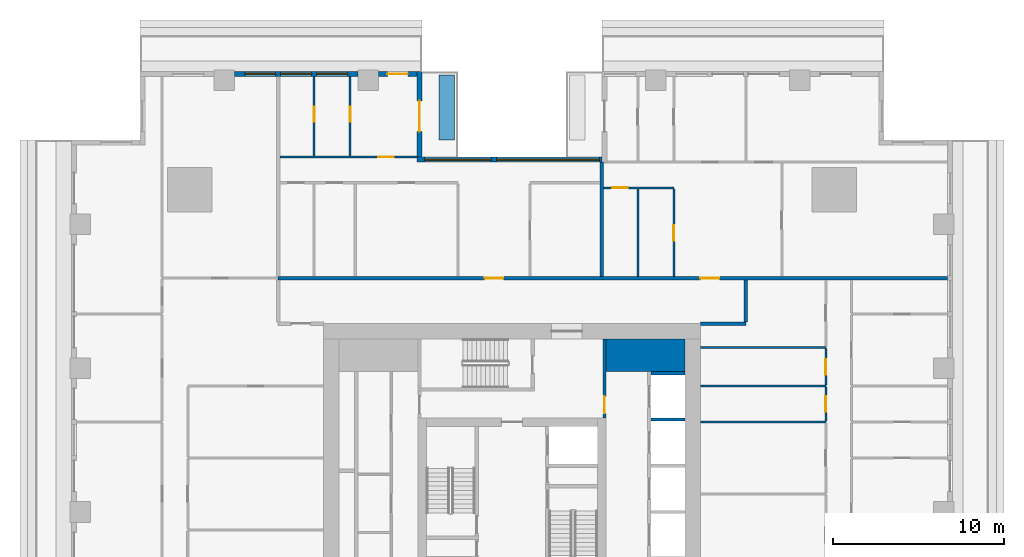
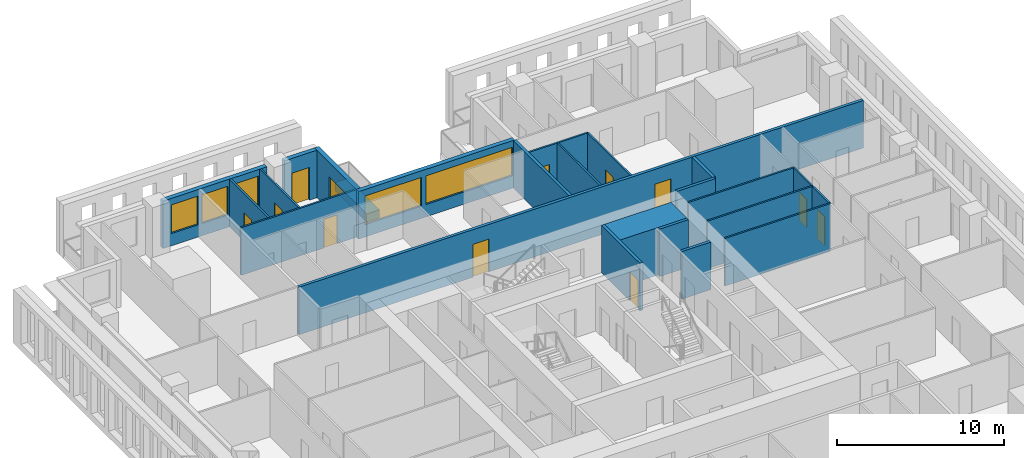
# One storey, part 8 of 16: 24 walls, 12 doors, 5 windows, 17 openings.
"""IFC4 building model written with IfcOpenShell, lengths in metres."""

from ifc_helpers import new_model, si_unit, direction, frame, frame_2d, origin, place, context, subcontext, project, spatial, rectangle, extrude, material, layer, layer_set, type_object, element, fill, save


model = new_model("IFC4")

# Units and contexts
model_context = context("Model", 3, precision=1e-05, world=origin(), true_north=direction((0.0, 1.0)))
body_context = subcontext(model_context, "Body", "Model", "MODEL_VIEW")
ifc_project = project(units=[si_unit("LENGTHUNIT", "METRE"), si_unit("AREAUNIT", "SQUARE_METRE"), si_unit("VOLUMEUNIT", "CUBIC_METRE"), si_unit("PLANEANGLEUNIT", "RADIAN"), si_unit("MASSUNIT", "GRAM", prefix="KILO")], contexts=[model_context])

# Site, building, storey
site_placement = place(None, origin())
site = spatial("IfcSite", under=ifc_project, at=site_placement, CompositionType="ELEMENT")
building_placement = place(site_placement, origin())
building = spatial("IfcBuilding", under=site, at=building_placement, Name="Khepri Terraces", CompositionType="ELEMENT")
storey_placement = place(building_placement, frame((0.0, 0.0, 141.60009765625)))
storey = spatial("IfcBuildingStorey", under=building, at=storey_placement, Name="L33", CompositionType="ELEMENT", Elevation=141.60009765625)

# Walls
ifc_material_1 = material(Name="Concrete C60/75", Category="concrete")
ifc_layer_1 = layer(ifc_material_1, 1.89990234375, Name="Concrete C60/75", Category="concrete")
ifc_layer_set_1 = layer_set([ifc_layer_1], Name="Concrete C60/75")
wall_type_1 = type_object("IfcWallType", Name="Core wall 1900 C60/75", PredefinedType="SHEAR", material=ifc_layer_set_1)
wall_1_placement = place(storey_placement, frame((5.5, 9.14990234375, 0.0), z_axis=(0.0, 0.0, 1.0), x_axis=(1.0, 0.0, 0.0)))
element("IfcWall", 1, at=wall_1_placement, inside=storey, type_object=wall_type_1, Name="Core wall PR04 L33", PredefinedType="SHEAR", context=body_context, shape_type="SweptSolid", body=[
    extrude(rectangle(XDim=4.60009765625, YDim=1.89990234375, at=frame_2d((2.300048828125, 0.0))), origin(), (0.0, 0.0, 1.0), 3.47998046875),
])
ifc_layer_2 = layer(ifc_material_1, 0.199951171875, Name="Concrete C60/75", Category="concrete")
ifc_layer_set_2 = layer_set([ifc_layer_2], Name="Concrete C60/75")
wall_type_2 = type_object("IfcWallType", Name="Core wall 200 C60/75", PredefinedType="SHEAR", material=ifc_layer_set_2)
for number, where, z_axis, x_axis, name in (
    (2, (8.10009765625, 5.39990234375, 0.0), (0.0, 0.0, 1.0), (1.0, 0.0, 0.0), "Core wall SH14 L33"),
    (3, (8.10009765625, 8.10009765625, 0.0), (0.0, 0.0, 1.0), (1.0, 0.0, 0.0), "Core wall SH15 L33"),
):
    element("IfcWall", number, at=place(storey_placement, frame(where, z_axis=z_axis, x_axis=x_axis)), inside=storey, type_object=wall_type_2, Name=name, PredefinedType="SHEAR", context=body_context, shape_type="SweptSolid", body=[
        extrude(rectangle(XDim=2.0, YDim=0.199951171875, at=frame_2d((1.0, 0.0))), origin(), (0.0, 0.0, 1.0), 3.47998046875),
    ])

# Wall, opening, door
ifc_material_2 = material(Name="Fire-rated gypsum board partition")
ifc_layer_3 = layer(ifc_material_2, 0.199951171875, Name="Fire-rated gypsum board partition")
ifc_layer_set_3 = layer_set([ifc_layer_3], Name="Fire-rated gypsum board partition")
wall_type_3 = type_object("IfcWallType", Name="WL-CORE-PART-200", PredefinedType="PARTITIONING", material=ifc_layer_set_3)
wall_2_placement = place(storey_placement, frame((5.39990234375, 5.5, 0.0), z_axis=(0.0, 0.0, 1.0), x_axis=(0.0, 1.0, 0.0)))
wall_2 = element("IfcWall", 4, at=wall_2_placement, inside=storey, type_object=wall_type_3, Name="Core partition PT10 L33", PredefinedType="PARTITIONING", context=body_context, shape_type="SweptSolid", body=[
    extrude(rectangle(XDim=4.60009765625, YDim=0.199951171875, at=frame_2d((2.300048828125, 0.0))), origin(), (0.0, 0.0, 1.0), 3.47998046875),
])
opening_1_placement = place(wall_2_placement, frame((0.25, 0.0, 0.0)))
opening_1 = element("IfcOpeningElement", 5, at=opening_1_placement, cuts=wall_2, Name="Opening L33-C17", PredefinedType="OPENING", context=body_context, shape_type="SweptSolid", body=[
    extrude(rectangle(XDim=1.0, YDim=2.10009765625, at=frame_2d((0.5, 1.050048828125))), frame((0.0, 0.10986328125, 0.0), z_axis=(0.0, -1.0, 0.0), x_axis=(1.0, 0.0, 0.0)), (0.0, 0.0, 1.0), 0.219970703125),
])
ifc_material_3 = material(Name="Painted steel", Category="steel")
door_type_1 = type_object("IfcDoorType", Name="DR-CORE-LOBBY-1000", OperationType="NOTDEFINED", PredefinedType="DOOR", material=ifc_material_3)
door_1_placement = place(opening_1_placement, origin())
door_1 = element("IfcDoor", 6, at=door_1_placement, inside=storey, type_object=door_type_1, Name="Lobby door L33-C17", OperationType="SINGLE_SWING_LEFT", OverallHeight=2.10009765625, OverallWidth=1.0, PredefinedType="DOOR", context=body_context, shape_type="SweptSolid", body=[
    extrude(rectangle(XDim=1.0, YDim=2.10009765625, at=frame_2d((0.5, 1.050048828125))), frame((0.0, 0.02490234375, 0.0), z_axis=(0.0, -1.0, 0.0), x_axis=(1.0, 0.0, 0.0)), (0.0, 0.0, 1.0), 0.050048828125),
])
fill(opening_1, door_1)

# Walls
ifc_material_4 = material(Name="Fire-rated gypsum plasterboard partition, mineral wool")
ifc_layer_4 = layer(ifc_material_4, 0.199951171875, Name="Fire-rated gypsum plasterboard partition, mineral wool")
ifc_layer_set_4 = layer_set([ifc_layer_4], Name="Fire-rated gypsum plasterboard partition, mineral wool")
wall_type_4 = type_object("IfcWallType", Name="WL-CORR-200", PredefinedType="PARTITIONING", material=ifc_layer_set_4)
wall_3_placement = place(storey_placement, frame((11.0, 11.0, 0.0), z_axis=(0.0, 0.0, 1.0), x_axis=(1.0, 0.0, 0.0)))
element("IfcWall", 7, at=wall_3_placement, inside=storey, type_object=wall_type_4, Name="Partition P-079 L33", PredefinedType="PARTITIONING", context=body_context, shape_type="SweptSolid", body=[
    extrude(rectangle(XDim=2.64990234375, YDim=0.199951171875, at=frame_2d((1.324951171875, 0.0))), origin(), (0.0, 0.0, 1.0), 3.47998046875),
])
wall_4_placement = place(storey_placement, frame((13.64990234375, 11.10009765625, 0.0), z_axis=(0.0, 0.0, 1.0), x_axis=(0.0, 1.0, 0.0)))
element("IfcWall", 8, at=wall_4_placement, inside=storey, type_object=wall_type_4, Name="Partition P-081 L33", PredefinedType="PARTITIONING", context=body_context, shape_type="SweptSolid", body=[
    extrude(rectangle(XDim=2.449951171875, YDim=0.199951171875, at=frame_2d((1.22509765625, 0.0))), origin(), (0.0, 0.0, 1.0), 3.47998046875),
])

# Wall, openings, doors
wall_5_placement = place(storey_placement, frame((-13.64990234375, 13.64990234375, 0.0), z_axis=(0.0, 0.0, 1.0), x_axis=(1.0, 0.0, 0.0)))
wall_5 = element("IfcWall", 9, at=wall_5_placement, inside=storey, type_object=wall_type_4, Name="Partition P-087 L33", PredefinedType="PARTITIONING", context=body_context, shape_type="SweptSolid", body=[
    extrude(rectangle(XDim=39.06982421875, YDim=0.199951171875, at=frame_2d((19.534912109375, 0.0))), origin(), (0.0, 0.0, 1.0), 3.47998046875),
])
opening_2_placement = place(wall_5_placement, frame((24.64990234375, 0.0, 0.0)))
opening_2 = element("IfcOpeningElement", 10, at=opening_2_placement, cuts=wall_5, Name="Opening D1", PredefinedType="OPENING", context=body_context, shape_type="SweptSolid", body=[
    extrude(rectangle(XDim=1.10009765625, YDim=2.39990234375, at=frame_2d((0.550048828125, 1.199951171875))), frame((0.0, 0.10986328125, 0.0), z_axis=(0.0, -1.0, 0.0), x_axis=(1.0, 0.0, 0.0)), (0.0, 0.0, 1.0), 0.219970703125),
])
opening_3_placement = place(wall_5_placement, frame((12.050048828125, 0.0, 0.0)))
opening_3 = element("IfcOpeningElement", 11, at=opening_3_placement, cuts=wall_5, Name="Opening D1", PredefinedType="OPENING", context=body_context, shape_type="SweptSolid", body=[
    extrude(rectangle(XDim=1.10009765625, YDim=2.39990234375, at=frame_2d((0.550048828125, 1.199951171875))), frame((0.0, 0.10986328125, 0.0), z_axis=(0.0, -1.0, 0.0), x_axis=(1.0, 0.0, 0.0)), (0.0, 0.0, 1.0), 0.219970703125),
])
ifc_material_5 = material(Name="Solid-core timber door leaf, flat entrance door", Category="wood")
door_type_2 = type_object("IfcDoorType", Name="DR-ENT-1100", OperationType="NOTDEFINED", PredefinedType="DOOR", material=ifc_material_5)
door_2_placement = place(opening_2_placement, origin())
door_2 = element("IfcDoor", 12, at=door_2_placement, inside=storey, type_object=door_type_2, Name="Flat C1 entrance door", OperationType="SINGLE_SWING_RIGHT", OverallHeight=2.39990234375, OverallWidth=1.10009765625, PredefinedType="DOOR", context=body_context, shape_type="SweptSolid", body=[
    extrude(rectangle(XDim=1.10009765625, YDim=2.39990234375, at=frame_2d((0.550048828125, 1.199951171875))), frame((0.0, 0.02490234375, 0.0), z_axis=(0.0, -1.0, 0.0), x_axis=(1.0, 0.0, 0.0)), (0.0, 0.0, 1.0), 0.050048828125),
])
fill(opening_2, door_2)
door_3_placement = place(opening_3_placement, origin())
door_3 = element("IfcDoor", 13, at=door_3_placement, inside=storey, type_object=door_type_2, Name="Flat C2 entrance door", OperationType="SINGLE_SWING_LEFT", OverallHeight=2.39990234375, OverallWidth=1.10009765625, PredefinedType="DOOR", context=body_context, shape_type="SweptSolid", body=[
    extrude(rectangle(XDim=1.10009765625, YDim=2.39990234375, at=frame_2d((0.550048828125, 1.199951171875))), frame((0.0, 0.02490234375, 0.0), z_axis=(0.0, -1.0, 0.0), x_axis=(1.0, 0.0, 0.0)), (0.0, 0.0, 1.0), 0.050048828125),
])
fill(opening_3, door_3)

# Wall
wall_6_placement = place(storey_placement, frame((5.25, 13.75, 0.0), z_axis=(0.0, 0.0, 1.0), x_axis=(0.0, 1.0, 0.0)))
element("IfcWall", 14, at=wall_6_placement, inside=storey, type_object=wall_type_4, Name="Partition P-094 L33", PredefinedType="PARTITIONING", context=body_context, shape_type="SweptSolid", body=[
    extrude(rectangle(XDim=6.669921875, YDim=0.199951171875, at=frame_2d((3.3349609375, 0.0))), origin(), (0.0, 0.0, 1.0), 3.47998046875),
])

# Wall, openings, windows
ifc_material_6 = material(Name="Precast concrete C50/60 warm stone", Category="masonry")
ifc_layer_5 = layer(ifc_material_6, 0.300048828125, Name="Precast concrete C50/60 warm stone", Category="masonry")
ifc_layer_set_5 = layer_set([ifc_layer_5], Name="Precast concrete C50/60 warm stone")
wall_type_5 = type_object("IfcWallType", Name="WL-EXT-PRECAST-300", PredefinedType="STANDARD", material=ifc_layer_set_5)
wall_7_placement = place(storey_placement, frame((5.25, 20.570068359375, 0.0), z_axis=(0.0, 0.0, 1.0), x_axis=(-1.0, 0.0, 0.0)))
wall_7 = element("IfcWall", 15, at=wall_7_placement, inside=storey, type_object=wall_type_5, Name="External wall L33 N", PredefinedType="STANDARD", context=body_context, shape_type="SweptSolid", body=[
    extrude(rectangle(XDim=10.800048828125, YDim=0.300048828125, at=frame_2d((5.39990234375, 0.0))), origin(), (0.0, 0.0, 1.0), 3.47998046875),
])
opening_4_placement = place(wall_7_placement, frame((0.14990234375, 0.0, 0.89990234375)))
opening_4 = element("IfcOpeningElement", 16, at=opening_4_placement, cuts=wall_7, Name="Opening W3", PredefinedType="OPENING", context=body_context, shape_type="SweptSolid", body=[
    extrude(rectangle(XDim=6.0, YDim=2.10009765625, at=frame_2d((3.0, 1.050048828125))), frame((0.0, 0.16015625, 0.0), z_axis=(0.0, -1.0, 0.0), x_axis=(1.0, 0.0, 0.0)), (0.0, 0.0, 1.0), 0.320068359375),
])
opening_5_placement = place(wall_7_placement, frame((6.449951171875, 0.0, 0.89990234375)))
opening_5 = element("IfcOpeningElement", 17, at=opening_5_placement, cuts=wall_7, Name="Opening W2", PredefinedType="OPENING", context=body_context, shape_type="SweptSolid", body=[
    extrude(rectangle(XDim=3.89990234375, YDim=2.10009765625, at=frame_2d((1.949951171875, 1.050048828125))), frame((0.0, 0.16015625, 0.0), z_axis=(0.0, -1.0, 0.0), x_axis=(1.0, 0.0, 0.0)), (0.0, 0.0, 1.0), 0.320068359375),
])
ifc_material_7 = material(Name="Clear glass", Category="glass")
window_type_1 = type_object("IfcWindowType", Name="WIN-RES-3900x2100", PartitioningType="SINGLE_PANEL", PredefinedType="WINDOW", material=ifc_material_7)
window_1_placement = place(opening_5_placement, origin())
window_1 = element("IfcWindow", 18, at=window_1_placement, inside=storey, type_object=window_type_1, Name="Window L33 N", OverallHeight=2.10009765625, OverallWidth=3.89990234375, PartitioningType="SINGLE_PANEL", PredefinedType="WINDOW", context=body_context, shape_type="SweptSolid", body=[
    extrude(rectangle(XDim=3.89990234375, YDim=2.10009765625, at=frame_2d((1.949951171875, 1.050048828125))), frame((0.0, 0.030029296875, 0.0), z_axis=(0.0, -1.0, 0.0), x_axis=(1.0, 0.0, 0.0)), (0.0, 0.0, 1.0), 0.06005859375),
])
fill(opening_5, window_1)
window_type_2 = type_object("IfcWindowType", Name="WIN-RES-6000x2100", PartitioningType="SINGLE_PANEL", PredefinedType="WINDOW", material=ifc_material_7)
window_2_placement = place(opening_4_placement, origin())
window_2 = element("IfcWindow", 19, at=window_2_placement, inside=storey, type_object=window_type_2, Name="Window L33 N", OverallHeight=2.10009765625, OverallWidth=6.0, PartitioningType="SINGLE_PANEL", PredefinedType="WINDOW", context=body_context, shape_type="SweptSolid", body=[
    extrude(rectangle(XDim=6.0, YDim=2.10009765625, at=frame_2d((3.0, 1.050048828125))), frame((0.0, 0.030029296875, 0.0), z_axis=(0.0, -1.0, 0.0), x_axis=(1.0, 0.0, 0.0)), (0.0, 0.0, 1.0), 0.06005859375),
])
fill(opening_4, window_2)

# Wall, opening, door
wall_8_placement = place(storey_placement, frame((-5.39990234375, 20.719970703125, 0.0), z_axis=(0.0, 0.0, 1.0), x_axis=(0.0, 1.0, 0.0)))
wall_8 = element("IfcWall", 20, at=wall_8_placement, inside=storey, type_object=wall_type_5, Name="External wall L33 E", PredefinedType="STANDARD", context=body_context, shape_type="SweptSolid", body=[
    extrude(rectangle(XDim=5.0, YDim=0.300048828125, at=frame_2d((2.5, 0.0))), origin(), (0.0, 0.0, 1.0), 3.47998046875),
])
opening_6_placement = place(wall_8_placement, frame((1.47998046875, 0.0, 0.0)))
opening_6 = element("IfcOpeningElement", 21, at=opening_6_placement, cuts=wall_8, Name="Opening ED-L33-11", PredefinedType="OPENING", context=body_context, shape_type="SweptSolid", body=[
    extrude(rectangle(XDim=1.800048828125, YDim=2.39990234375, at=frame_2d((0.89990234375, 1.199951171875))), frame((0.0, 0.16015625, 0.0), z_axis=(0.0, -1.0, 0.0), x_axis=(1.0, 0.0, 0.0)), (0.0, 0.0, 1.0), 0.320068359375),
])
ifc_material_8 = material(Name="Anodised aluminium bronze glazed door", Category="aluminium")
door_type_3 = type_object("IfcDoorType", Name="DR-BAL-SLIDE-1800x2400", OperationType="NOTDEFINED", PredefinedType="DOOR", material=ifc_material_8)
door_4_placement = place(opening_6_placement, origin())
door_4 = element("IfcDoor", 22, at=door_4_placement, inside=storey, type_object=door_type_3, Name="Balcony door L33 E", OperationType="SLIDING_TO_RIGHT", OverallHeight=2.39990234375, OverallWidth=1.800048828125, PredefinedType="DOOR", context=body_context, shape_type="SweptSolid", body=[
    extrude(rectangle(XDim=1.800048828125, YDim=2.39990234375, at=frame_2d((0.89990234375, 1.199951171875))), frame((0.0, 0.02490234375, 0.0), z_axis=(0.0, -1.0, 0.0), x_axis=(1.0, 0.0, 0.0)), (0.0, 0.0, 1.0), 0.050048828125),
])
fill(opening_6, door_4)

wall_9_placement = place(storey_placement, frame((-5.550048828125, 25.570068359375, 0.0), z_axis=(0.0, 0.0, 1.0), x_axis=(-1.0, 0.0, 0.0)))
wall_9 = element("IfcWall", 23, at=wall_9_placement, inside=storey, type_object=wall_type_5, Name="External wall L33 N", PredefinedType="STANDARD", context=body_context, shape_type="SweptSolid", body=[
    extrude(rectangle(XDim=2.25, YDim=0.300048828125, at=frame_2d((1.125, 0.0))), origin(), (0.0, 0.0, 1.0), 3.47998046875),
])
opening_7_placement = place(wall_9_placement, frame((0.52490234375, 0.0, 0.0)))
opening_7 = element("IfcOpeningElement", 24, at=opening_7_placement, cuts=wall_9, Name="Opening ED-L33-12", PredefinedType="OPENING", context=body_context, shape_type="SweptSolid", body=[
    extrude(rectangle(XDim=1.199951171875, YDim=2.39990234375, at=frame_2d((0.60009765625, 1.199951171875))), frame((0.0, 0.16015625, 0.0), z_axis=(0.0, -1.0, 0.0), x_axis=(1.0, 0.0, 0.0)), (0.0, 0.0, 1.0), 0.320068359375),
])
door_type_4 = type_object("IfcDoorType", Name="DR-BAL-SLIDE-1200x2400", OperationType="NOTDEFINED", PredefinedType="DOOR", material=ifc_material_8)
door_5_placement = place(opening_7_placement, origin())
door_5 = element("IfcDoor", 25, at=door_5_placement, inside=storey, type_object=door_type_4, Name="Balcony door L33 N", OperationType="SLIDING_TO_RIGHT", OverallHeight=2.39990234375, OverallWidth=1.199951171875, PredefinedType="DOOR", context=body_context, shape_type="SweptSolid", body=[
    extrude(rectangle(XDim=1.199951171875, YDim=2.39990234375, at=frame_2d((0.60009765625, 1.199951171875))), frame((0.0, 0.02490234375, 0.0), z_axis=(0.0, -1.0, 0.0), x_axis=(1.0, 0.0, 0.0)), (0.0, 0.0, 1.0), 0.050048828125),
])
fill(opening_7, door_5)

# Wall, openings, windows
wall_10_placement = place(storey_placement, frame((-9.0, 25.570068359375, 0.0), z_axis=(0.0, 0.0, 1.0), x_axis=(-1.0, 0.0, 0.0)))
wall_10 = element("IfcWall", 26, at=wall_10_placement, inside=storey, type_object=wall_type_5, Name="External wall L33 N", PredefinedType="STANDARD", context=body_context, shape_type="SweptSolid", body=[
    extrude(rectangle(XDim=7.199951171875, YDim=0.300048828125, at=frame_2d((3.60009765625, 0.0))), origin(), (0.0, 0.0, 1.0), 3.47998046875),
])
opening_8_placement = place(wall_10_placement, frame((0.60009765625, 0.0, 0.89990234375)))
opening_8 = element("IfcOpeningElement", 27, at=opening_8_placement, cuts=wall_10, Name="Opening W1", PredefinedType="OPENING", context=body_context, shape_type="SweptSolid", body=[
    extrude(rectangle(XDim=1.800048828125, YDim=2.10009765625, at=frame_2d((0.89990234375, 1.050048828125))), frame((0.0, 0.16015625, 0.0), z_axis=(0.0, -1.0, 0.0), x_axis=(1.0, 0.0, 0.0)), (0.0, 0.0, 1.0), 0.320068359375),
])
opening_9_placement = place(wall_10_placement, frame((2.699951171875, 0.0, 0.89990234375)))
opening_9 = element("IfcOpeningElement", 28, at=opening_9_placement, cuts=wall_10, Name="Opening W1", PredefinedType="OPENING", context=body_context, shape_type="SweptSolid", body=[
    extrude(rectangle(XDim=1.800048828125, YDim=2.10009765625, at=frame_2d((0.89990234375, 1.050048828125))), frame((0.0, 0.16015625, 0.0), z_axis=(0.0, -1.0, 0.0), x_axis=(1.0, 0.0, 0.0)), (0.0, 0.0, 1.0), 0.320068359375),
])
opening_10_placement = place(wall_10_placement, frame((4.800048828125, 0.0, 0.89990234375)))
opening_10 = element("IfcOpeningElement", 29, at=opening_10_placement, cuts=wall_10, Name="Opening W1", PredefinedType="OPENING", context=body_context, shape_type="SweptSolid", body=[
    extrude(rectangle(XDim=1.800048828125, YDim=2.10009765625, at=frame_2d((0.89990234375, 1.050048828125))), frame((0.0, 0.16015625, 0.0), z_axis=(0.0, -1.0, 0.0), x_axis=(1.0, 0.0, 0.0)), (0.0, 0.0, 1.0), 0.320068359375),
])
window_type_3 = type_object("IfcWindowType", Name="WIN-RES-1800x2100", PartitioningType="SINGLE_PANEL", PredefinedType="WINDOW", material=ifc_material_7)
window_3_placement = place(opening_8_placement, origin())
window_3 = element("IfcWindow", 30, at=window_3_placement, inside=storey, type_object=window_type_3, Name="Window L33 N", OverallHeight=2.10009765625, OverallWidth=1.800048828125, PartitioningType="SINGLE_PANEL", PredefinedType="WINDOW", context=body_context, shape_type="SweptSolid", body=[
    extrude(rectangle(XDim=1.800048828125, YDim=2.10009765625, at=frame_2d((0.89990234375, 1.050048828125))), frame((0.0, 0.030029296875, 0.0), z_axis=(0.0, -1.0, 0.0), x_axis=(1.0, 0.0, 0.0)), (0.0, 0.0, 1.0), 0.06005859375),
])
fill(opening_8, window_3)
window_4_placement = place(opening_9_placement, origin())
window_4 = element("IfcWindow", 31, at=window_4_placement, inside=storey, type_object=window_type_3, Name="Window L33 N", OverallHeight=2.10009765625, OverallWidth=1.800048828125, PartitioningType="SINGLE_PANEL", PredefinedType="WINDOW", context=body_context, shape_type="SweptSolid", body=[
    extrude(rectangle(XDim=1.800048828125, YDim=2.10009765625, at=frame_2d((0.89990234375, 1.050048828125))), frame((0.0, 0.030029296875, 0.0), z_axis=(0.0, -1.0, 0.0), x_axis=(1.0, 0.0, 0.0)), (0.0, 0.0, 1.0), 0.06005859375),
])
fill(opening_9, window_4)
window_5_placement = place(opening_10_placement, origin())
window_5 = element("IfcWindow", 32, at=window_5_placement, inside=storey, type_object=window_type_3, Name="Window L33 N", OverallHeight=2.10009765625, OverallWidth=1.800048828125, PartitioningType="SINGLE_PANEL", PredefinedType="WINDOW", context=body_context, shape_type="SweptSolid", body=[
    extrude(rectangle(XDim=1.800048828125, YDim=2.10009765625, at=frame_2d((0.89990234375, 1.050048828125))), frame((0.0, 0.030029296875, 0.0), z_axis=(0.0, -1.0, 0.0), x_axis=(1.0, 0.0, 0.0)), (0.0, 0.0, 1.0), 0.06005859375),
])
fill(opening_10, window_5)

# Wall
ifc_material_9 = material(Name="Gypsum plasterboard partition")
ifc_layer_6 = layer(ifc_material_9, 0.1201171875, Name="Gypsum plasterboard partition")
ifc_layer_set_6 = layer_set([ifc_layer_6], Name="Gypsum plasterboard partition")
wall_type_6 = type_object("IfcWallType", Name="WL-PART-120", PredefinedType="PARTITIONING", material=ifc_layer_set_6)
wall_11_placement = place(storey_placement, frame((11.0, 5.25, 0.0), z_axis=(0.0, 0.0, 1.0), x_axis=(1.0, 0.0, 0.0)))
element("IfcWall", 33, at=wall_11_placement, inside=storey, type_object=wall_type_6, Name="Partition P-066 L33", PredefinedType="PARTITIONING", context=body_context, shape_type="SweptSolid", body=[
    extrude(rectangle(XDim=7.320068359375, YDim=0.1201171875, at=frame_2d((3.66015625, 0.0))), origin(), (0.0, 0.0, 1.0), 3.47998046875),
])

# Wall, opening, door
wall_12_placement = place(storey_placement, frame((18.320068359375, 5.31005859375, 0.0), z_axis=(0.0, 0.0, 1.0), x_axis=(0.0, 1.0, 0.0)))
wall_12 = element("IfcWall", 34, at=wall_12_placement, inside=storey, type_object=wall_type_6, Name="Partition P-069 L33", PredefinedType="PARTITIONING", context=body_context, shape_type="SweptSolid", body=[
    extrude(rectangle(XDim=1.97998046875, YDim=0.1201171875, at=frame_2d((0.989990234375, 0.0))), origin(), (0.0, 0.0, 1.0), 3.47998046875),
])
opening_11_placement = place(wall_12_placement, frame((0.5400390625, 0.0, 0.0)))
opening_11 = element("IfcOpeningElement", 35, at=opening_11_placement, cuts=wall_12, Name="Opening D4", PredefinedType="OPENING", context=body_context, shape_type="SweptSolid", body=[
    extrude(rectangle(XDim=0.89990234375, YDim=2.10009765625, at=frame_2d((0.449951171875, 1.050048828125))), frame((0.0, 0.070068359375, 0.0), z_axis=(0.0, -1.0, 0.0), x_axis=(1.0, 0.0, 0.0)), (0.0, 0.0, 1.0), 0.14013671875),
])
ifc_material_10 = material(Name="Timber door leaf, moisture resistant", Category="wood")
door_type_5 = type_object("IfcDoorType", Name="DR-WET-900", OperationType="NOTDEFINED", PredefinedType="DOOR", material=ifc_material_10)
door_6_placement = place(opening_11_placement, origin())
door_6 = element("IfcDoor", 36, at=door_6_placement, inside=storey, type_object=door_type_5, Name="Door Powder Room", OperationType="SINGLE_SWING_RIGHT", OverallHeight=2.10009765625, OverallWidth=0.89990234375, PredefinedType="DOOR", context=body_context, shape_type="SweptSolid", body=[
    extrude(rectangle(XDim=0.89990234375, YDim=2.10009765625, at=frame_2d((0.449951171875, 1.050048828125))), frame((0.0, 0.02490234375, 0.0), z_axis=(0.0, -1.0, 0.0), x_axis=(1.0, 0.0, 0.0)), (0.0, 0.0, 1.0), 0.050048828125),
])
fill(opening_11, door_6)

# Wall
wall_13_placement = place(storey_placement, frame((11.0, 7.35009765625, 0.0), z_axis=(0.0, 0.0, 1.0), x_axis=(1.0, 0.0, 0.0)))
element("IfcWall", 37, at=wall_13_placement, inside=storey, type_object=wall_type_6, Name="Partition P-072 L33", PredefinedType="PARTITIONING", context=body_context, shape_type="SweptSolid", body=[
    extrude(rectangle(XDim=7.320068359375, YDim=0.1201171875, at=frame_2d((3.66015625, 0.0))), origin(), (0.0, 0.0, 1.0), 3.47998046875),
])

# Wall, opening, door
wall_14_placement = place(storey_placement, frame((18.320068359375, 7.409912109375, 0.0), z_axis=(0.0, 0.0, 1.0), x_axis=(0.0, 1.0, 0.0)))
wall_14 = element("IfcWall", 38, at=wall_14_placement, inside=storey, type_object=wall_type_6, Name="Partition P-074 L33", PredefinedType="PARTITIONING", context=body_context, shape_type="SweptSolid", body=[
    extrude(rectangle(XDim=2.130126953125, YDim=0.1201171875, at=frame_2d((1.06494140625, 0.0))), origin(), (0.0, 0.0, 1.0), 3.47998046875),
])
opening_12_placement = place(wall_14_placement, frame((0.614990234375, 0.0, 0.0)))
opening_12 = element("IfcOpeningElement", 39, at=opening_12_placement, cuts=wall_14, Name="Opening D4", PredefinedType="OPENING", context=body_context, shape_type="SweptSolid", body=[
    extrude(rectangle(XDim=0.89990234375, YDim=2.10009765625, at=frame_2d((0.449951171875, 1.050048828125))), frame((0.0, 0.070068359375, 0.0), z_axis=(0.0, -1.0, 0.0), x_axis=(1.0, 0.0, 0.0)), (0.0, 0.0, 1.0), 0.14013671875),
])
door_7_placement = place(opening_12_placement, origin())
door_7 = element("IfcDoor", 40, at=door_7_placement, inside=storey, type_object=door_type_5, Name="Door Guest Bathroom", OperationType="SINGLE_SWING_RIGHT", OverallHeight=2.10009765625, OverallWidth=0.89990234375, PredefinedType="DOOR", context=body_context, shape_type="SweptSolid", body=[
    extrude(rectangle(XDim=0.89990234375, YDim=2.10009765625, at=frame_2d((0.449951171875, 1.050048828125))), frame((0.0, 0.02490234375, 0.0), z_axis=(0.0, -1.0, 0.0), x_axis=(1.0, 0.0, 0.0)), (0.0, 0.0, 1.0), 0.050048828125),
])
fill(opening_12, door_7)

# Walls
wall_15_placement = place(storey_placement, frame((11.0, 9.60009765625, 0.0), z_axis=(0.0, 0.0, 1.0), x_axis=(1.0, 0.0, 0.0)))
element("IfcWall", 41, at=wall_15_placement, inside=storey, type_object=wall_type_6, Name="Partition P-076 L33", PredefinedType="PARTITIONING", context=body_context, shape_type="SweptSolid", body=[
    extrude(rectangle(XDim=7.320068359375, YDim=0.1201171875, at=frame_2d((3.66015625, 0.0))), origin(), (0.0, 0.0, 1.0), 3.47998046875),
])
wall_16_placement = place(storey_placement, frame((7.35009765625, 13.75, 0.0), z_axis=(0.0, 0.0, 1.0), x_axis=(0.0, 1.0, 0.0)))
element("IfcWall", 42, at=wall_16_placement, inside=storey, type_object=wall_type_6, Name="Partition P-095 L33", PredefinedType="PARTITIONING", context=body_context, shape_type="SweptSolid", body=[
    extrude(rectangle(XDim=5.110107421875, YDim=0.1201171875, at=frame_2d((2.55517578125, 0.0))), origin(), (0.0, 0.0, 1.0), 3.47998046875),
])

# Wall, opening, door
wall_17_placement = place(storey_placement, frame((9.449951171875, 13.75, 0.0), z_axis=(0.0, 0.0, 1.0), x_axis=(0.0, 1.0, 0.0)))
wall_17 = element("IfcWall", 43, at=wall_17_placement, inside=storey, type_object=wall_type_6, Name="Partition P-096 L33", PredefinedType="PARTITIONING", context=body_context, shape_type="SweptSolid", body=[
    extrude(rectangle(XDim=5.110107421875, YDim=0.1201171875, at=frame_2d((2.55517578125, 0.0))), origin(), (0.0, 0.0, 1.0), 3.47998046875),
])
opening_13_placement = place(wall_17_placement, frame((2.0849609375, 0.0, 0.0)))
opening_13 = element("IfcOpeningElement", 44, at=opening_13_placement, cuts=wall_17, Name="Opening D4", PredefinedType="OPENING", context=body_context, shape_type="SweptSolid", body=[
    extrude(rectangle(XDim=0.89990234375, YDim=2.10009765625, at=frame_2d((0.449951171875, 1.050048828125))), frame((0.0, 0.070068359375, 0.0), z_axis=(0.0, -1.0, 0.0), x_axis=(1.0, 0.0, 0.0)), (0.0, 0.0, 1.0), 0.14013671875),
])
door_8_placement = place(opening_13_placement, origin())
door_8 = element("IfcDoor", 45, at=door_8_placement, inside=storey, type_object=door_type_5, Name="Door Guest Bathroom", OperationType="SINGLE_SWING_LEFT", OverallHeight=2.10009765625, OverallWidth=0.89990234375, PredefinedType="DOOR", context=body_context, shape_type="SweptSolid", body=[
    extrude(rectangle(XDim=0.89990234375, YDim=2.10009765625, at=frame_2d((0.449951171875, 1.050048828125))), frame((0.0, 0.02490234375, 0.0), z_axis=(0.0, -1.0, 0.0), x_axis=(1.0, 0.0, 0.0)), (0.0, 0.0, 1.0), 0.050048828125),
])
fill(opening_13, door_8)

wall_18_placement = place(storey_placement, frame((5.35009765625, 18.919921875, 0.0), z_axis=(0.0, 0.0, 1.0), x_axis=(1.0, 0.0, 0.0)))
wall_18 = element("IfcWall", 46, at=wall_18_placement, inside=storey, type_object=wall_type_6, Name="Partition P-098 L33", PredefinedType="PARTITIONING", context=body_context, shape_type="SweptSolid", body=[
    extrude(rectangle(XDim=4.099853515625, YDim=0.1201171875, at=frame_2d((2.0498046875, 0.0))), origin(), (0.0, 0.0, 1.0), 3.47998046875),
])
opening_14_placement = place(wall_18_placement, frame((0.5, 0.0, 0.0)))
opening_14 = element("IfcOpeningElement", 47, at=opening_14_placement, cuts=wall_18, Name="Opening D3", PredefinedType="OPENING", context=body_context, shape_type="SweptSolid", body=[
    extrude(rectangle(XDim=0.89990234375, YDim=2.10009765625, at=frame_2d((0.449951171875, 1.050048828125))), frame((0.0, 0.070068359375, 0.0), z_axis=(0.0, -1.0, 0.0), x_axis=(1.0, 0.0, 0.0)), (0.0, 0.0, 1.0), 0.14013671875),
])
ifc_material_11 = material(Name="Timber door leaf", Category="wood")
door_type_6 = type_object("IfcDoorType", Name="DR-INT-900", OperationType="NOTDEFINED", PredefinedType="DOOR", material=ifc_material_11)
door_9_placement = place(opening_14_placement, frame((0.89990234375, 0.0, 0.0), z_axis=(0.0, 0.0, 1.0), x_axis=(-1.0, 0.0, 0.0)))
door_9 = element("IfcDoor", 48, at=door_9_placement, inside=storey, type_object=door_type_6, Name="Door Kitchen", OperationType="SINGLE_SWING_RIGHT", OverallHeight=2.10009765625, OverallWidth=0.89990234375, PredefinedType="DOOR", context=body_context, shape_type="SweptSolid", body=[
    extrude(rectangle(XDim=0.89990234375, YDim=2.10009765625, at=frame_2d((0.449951171875, 1.050048828125))), frame((0.0, 0.02490234375, 0.0), z_axis=(0.0, -1.0, 0.0), x_axis=(1.0, 0.0, 0.0)), (0.0, 0.0, 1.0), 0.050048828125),
])
fill(opening_14, door_9)

wall_19_placement = place(storey_placement, frame((-13.550048828125, 20.719970703125, 0.0), z_axis=(0.0, 0.0, 1.0), x_axis=(1.0, 0.0, 0.0)))
wall_19 = element("IfcWall", 49, at=wall_19_placement, inside=storey, type_object=wall_type_6, Name="Partition P-105 L33", PredefinedType="PARTITIONING", context=body_context, shape_type="SweptSolid", body=[
    extrude(rectangle(XDim=8.0, YDim=0.1201171875, at=frame_2d((4.0, 0.0))), origin(), (0.0, 0.0, 1.0), 3.47998046875),
])
opening_15_placement = place(wall_19_placement, frame((5.75, 0.0, 0.0)))
opening_15 = element("IfcOpeningElement", 50, at=opening_15_placement, cuts=wall_19, Name="Opening D3", PredefinedType="OPENING", context=body_context, shape_type="SweptSolid", body=[
    extrude(rectangle(XDim=0.89990234375, YDim=2.10009765625, at=frame_2d((0.449951171875, 1.050048828125))), frame((0.0, 0.070068359375, 0.0), z_axis=(0.0, -1.0, 0.0), x_axis=(1.0, 0.0, 0.0)), (0.0, 0.0, 1.0), 0.14013671875),
])
door_10_placement = place(opening_15_placement, origin())
door_10 = element("IfcDoor", 51, at=door_10_placement, inside=storey, type_object=door_type_6, Name="Door Master Bedroom", OperationType="SINGLE_SWING_RIGHT", OverallHeight=2.10009765625, OverallWidth=0.89990234375, PredefinedType="DOOR", context=body_context, shape_type="SweptSolid", body=[
    extrude(rectangle(XDim=0.89990234375, YDim=2.10009765625, at=frame_2d((0.449951171875, 1.050048828125))), frame((0.0, 0.02490234375, 0.0), z_axis=(0.0, -1.0, 0.0), x_axis=(1.0, 0.0, 0.0)), (0.0, 0.0, 1.0), 0.050048828125),
])
fill(opening_15, door_10)

wall_20_placement = place(storey_placement, frame((-11.550048828125, 20.780029296875, 0.0), z_axis=(0.0, 0.0, 1.0), x_axis=(0.0, 1.0, 0.0)))
wall_20 = element("IfcWall", 52, at=wall_20_placement, inside=storey, type_object=wall_type_6, Name="Partition P-106 L33", PredefinedType="PARTITIONING", context=body_context, shape_type="SweptSolid", body=[
    extrude(rectangle(XDim=4.639892578125, YDim=0.1201171875, at=frame_2d((2.31982421875, 0.0))), origin(), (0.0, 0.0, 1.0), 3.47998046875),
])
opening_16_placement = place(wall_20_placement, frame((1.989990234375, 0.0, 0.0)))
opening_16 = element("IfcOpeningElement", 53, at=opening_16_placement, cuts=wall_20, Name="Opening D4", PredefinedType="OPENING", context=body_context, shape_type="SweptSolid", body=[
    extrude(rectangle(XDim=0.89990234375, YDim=2.10009765625, at=frame_2d((0.449951171875, 1.050048828125))), frame((0.0, 0.070068359375, 0.0), z_axis=(0.0, -1.0, 0.0), x_axis=(1.0, 0.0, 0.0)), (0.0, 0.0, 1.0), 0.14013671875),
])
door_11_placement = place(opening_16_placement, origin())
door_11 = element("IfcDoor", 54, at=door_11_placement, inside=storey, type_object=door_type_5, Name="Door Bathroom", OperationType="SINGLE_SWING_RIGHT", OverallHeight=2.10009765625, OverallWidth=0.89990234375, PredefinedType="DOOR", context=body_context, shape_type="SweptSolid", body=[
    extrude(rectangle(XDim=0.89990234375, YDim=2.10009765625, at=frame_2d((0.449951171875, 1.050048828125))), frame((0.0, 0.02490234375, 0.0), z_axis=(0.0, -1.0, 0.0), x_axis=(1.0, 0.0, 0.0)), (0.0, 0.0, 1.0), 0.050048828125),
])
fill(opening_16, door_11)

wall_21_placement = place(storey_placement, frame((-9.449951171875, 20.780029296875, 0.0), z_axis=(0.0, 0.0, 1.0), x_axis=(0.0, 1.0, 0.0)))
wall_21 = element("IfcWall", 55, at=wall_21_placement, inside=storey, type_object=wall_type_6, Name="Partition P-107 L33", PredefinedType="PARTITIONING", context=body_context, shape_type="SweptSolid", body=[
    extrude(rectangle(XDim=4.639892578125, YDim=0.1201171875, at=frame_2d((2.31982421875, 0.0))), origin(), (0.0, 0.0, 1.0), 3.47998046875),
])
opening_17_placement = place(wall_21_placement, frame((1.989990234375, 0.0, 0.0)))
opening_17 = element("IfcOpeningElement", 56, at=opening_17_placement, cuts=wall_21, Name="Opening D3", PredefinedType="OPENING", context=body_context, shape_type="SweptSolid", body=[
    extrude(rectangle(XDim=0.89990234375, YDim=2.10009765625, at=frame_2d((0.449951171875, 1.050048828125))), frame((0.0, 0.070068359375, 0.0), z_axis=(0.0, -1.0, 0.0), x_axis=(1.0, 0.0, 0.0)), (0.0, 0.0, 1.0), 0.14013671875),
])
door_12_placement = place(opening_17_placement, origin())
door_12 = element("IfcDoor", 57, at=door_12_placement, inside=storey, type_object=door_type_6, Name="Door Dressing Room", OperationType="SINGLE_SWING_RIGHT", OverallHeight=2.10009765625, OverallWidth=0.89990234375, PredefinedType="DOOR", context=body_context, shape_type="SweptSolid", body=[
    extrude(rectangle(XDim=0.89990234375, YDim=2.10009765625, at=frame_2d((0.449951171875, 1.050048828125))), frame((0.0, 0.02490234375, 0.0), z_axis=(0.0, -1.0, 0.0), x_axis=(1.0, 0.0, 0.0)), (0.0, 0.0, 1.0), 0.050048828125),
])
fill(opening_17, door_12)

# Wall
ifc_layer_7 = layer(ifc_material_6, 0.89990234375, Name="Precast concrete C50/60 warm stone", Category="masonry")
ifc_layer_set_7 = layer_set([ifc_layer_7], Name="Precast concrete C50/60 warm stone")
wall_type_7 = type_object("IfcWallType", Name="WL-PLANTER-900", PredefinedType="MOVABLE", material=ifc_layer_set_7)
wall_22_placement = place(storey_placement, frame((-3.800048828125, 21.719970703125, 0.0), z_axis=(0.0, 0.0, 1.0), x_axis=(0.0, 1.0, 0.0)))
element("IfcWall", 58, at=wall_22_placement, inside=storey, type_object=wall_type_7, Name="Planter L33", PredefinedType="MOVABLE", context=body_context, shape_type="SweptSolid", body=[
    extrude(rectangle(XDim=3.800048828125, YDim=0.89990234375, at=frame_2d((1.89990234375, 0.0))), origin(), (0.0, 0.0, 1.0), 0.599853515625),
])

save(model, "model.ifc")
